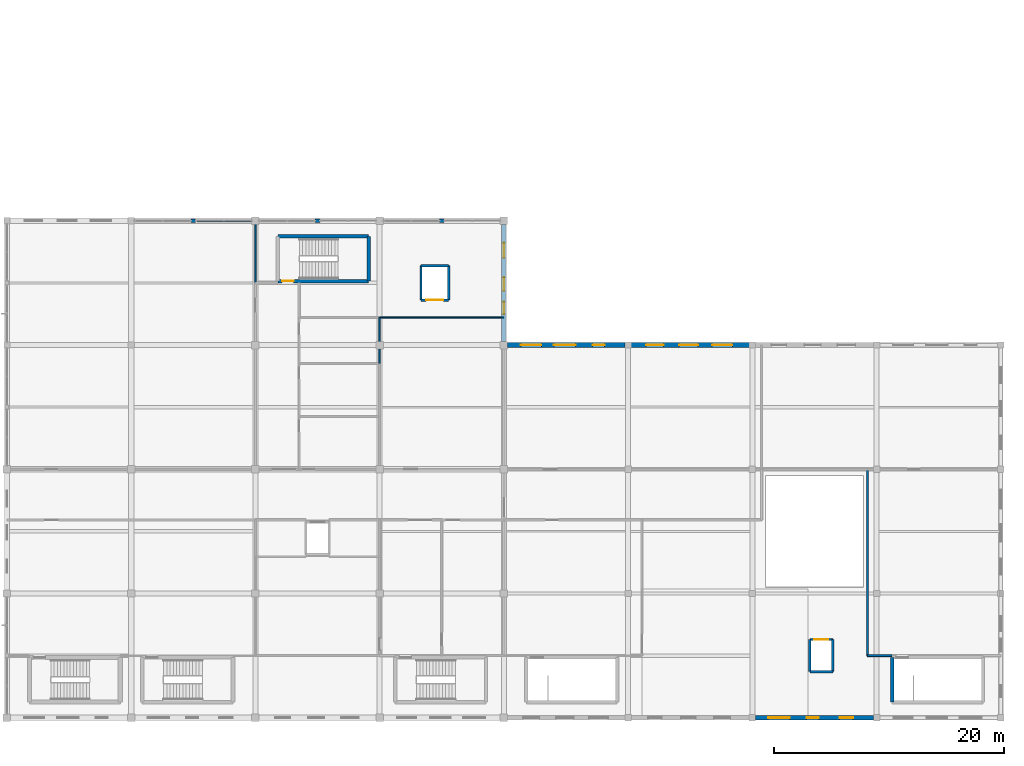
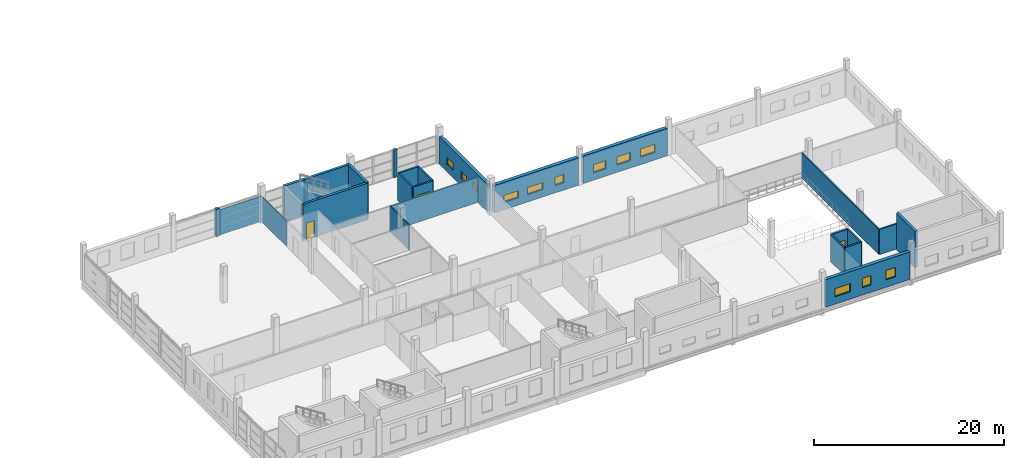
# One storey, part 17 of 24: 25 walls, 12 windows, 3 doors, 15 openings.
"""IFC4 building model written with IfcOpenShell, lengths in metres."""

from ifc_helpers import new_model, si_unit, direction, frame, frame_2d, origin, place, context, subcontext, project, spatial, rectangle, extrude, material, layer, layer_set, type_object, element, fill, save


model = new_model("IFC4")

# Units and contexts
model_context = context("Model", 3, precision=1e-05, world=origin(), true_north=direction((0.0, 1.0)))
body_context = subcontext(model_context, "Body", "Model", "MODEL_VIEW")
ifc_project = project(units=[si_unit("LENGTHUNIT", "METRE"), si_unit("AREAUNIT", "SQUARE_METRE"), si_unit("VOLUMEUNIT", "CUBIC_METRE"), si_unit("PLANEANGLEUNIT", "RADIAN"), si_unit("MASSUNIT", "GRAM", prefix="KILO")], contexts=[model_context])

# Site, building, storey
site_placement = place(None, origin())
site = spatial("IfcSite", under=ifc_project, at=site_placement, CompositionType="ELEMENT")
building_placement = place(site_placement, origin())
building = spatial("IfcBuilding", under=site, at=building_placement, Name="Zwinboog Wholesale Market", CompositionType="ELEMENT")
storey_placement = place(building_placement, frame((0.0, 0.0, 10.080078125)))
storey = spatial("IfcBuildingStorey", under=building, at=storey_placement, Name="L02", CompositionType="ELEMENT", Elevation=10.080078125)

# Wall, openings, windows
ifc_material_1 = material(Name="Precast concrete C45/55", Category="concrete")
ifc_layer_1 = layer(ifc_material_1, 0.389892578125)
ifc_layer_set_1 = layer_set([ifc_layer_1], Name="Precast concrete C45/55")
wall_type_1 = type_object("IfcWallType", Name="WT-EW-390", PredefinedType="STANDARD", material=ifc_layer_set_1)
wall_1_placement = place(storey_placement, frame((172.800048828125, 32.719970703125, 0.0), z_axis=(0.0, 0.0, 1.0), x_axis=(0.0, 1.0, 0.0)))
wall_1 = element("IfcWall", 1, at=wall_1_placement, inside=storey, type_object=wall_type_1, Name="EW-02 (WL-EW-L02-203)", PredefinedType="STANDARD", context=body_context, shape_type="SweptSolid", body=[
    extrude(rectangle(XDim=10.159912109375, YDim=0.389892578125, at=frame_2d((5.080078125, 0.0))), origin(), (0.0, 0.0, 1.0), 3.530029296875),
])
opening_1_placement = place(wall_1_placement, frame((2.3740234375, 0.0, 0.949951171875)))
opening_1 = element("IfcOpeningElement", 2, at=opening_1_placement, cuts=wall_1, Name="Opening WN-01", PredefinedType="OPENING", context=body_context, shape_type="SweptSolid", body=[
    extrude(rectangle(XDim=1.050048828125, YDim=0.89990234375, at=frame_2d((0.52490234375, 0.449951171875))), frame((0.0, 0.204833984375, 0.0), z_axis=(0.0, -1.0, 0.0), x_axis=(1.0, 0.0, 0.0)), (0.0, 0.0, 1.0), 0.409912109375),
])
opening_2_placement = place(wall_1_placement, frame((4.39501953125, 0.0, 0.949951171875)))
opening_2 = element("IfcOpeningElement", 3, at=opening_2_placement, cuts=wall_1, Name="Opening WN-02", PredefinedType="OPENING", context=body_context, shape_type="SweptSolid", body=[
    extrude(rectangle(XDim=1.169921875, YDim=0.89990234375, at=frame_2d((0.5849609375, 0.449951171875))), frame((0.0, 0.204833984375, 0.0), z_axis=(0.0, -1.0, 0.0), x_axis=(1.0, 0.0, 0.0)), (0.0, 0.0, 1.0), 0.409912109375),
])
opening_3_placement = place(wall_1_placement, frame((7.264892578125, 0.0, 0.949951171875)))
opening_3 = element("IfcOpeningElement", 4, at=opening_3_placement, cuts=wall_1, Name="Opening WN-03", PredefinedType="OPENING", context=body_context, shape_type="SweptSolid", body=[
    extrude(rectangle(XDim=1.2900390625, YDim=0.89990234375, at=frame_2d((0.64501953125, 0.449951171875))), frame((0.0, 0.204833984375, 0.0), z_axis=(0.0, -1.0, 0.0), x_axis=(1.0, 0.0, 0.0)), (0.0, 0.0, 1.0), 0.409912109375),
])
ifc_material_2 = material(Name="Thermally broken aluminium low-e window", Category="aluminium")
window_type_1 = type_object("IfcWindowType", Name="WNT-01", PartitioningType="SINGLE_PANEL", PredefinedType="WINDOW", material=ifc_material_2)
window_1_placement = place(opening_1_placement, frame((1.050048828125, 0.0, 0.0), z_axis=(0.0, 0.0, 1.0), x_axis=(-1.0, 0.0, 0.0)))
window_1 = element("IfcWindow", 5, at=window_1_placement, inside=storey, type_object=window_type_1, Name="WN-01 (WIN-L02-0217)", OverallHeight=0.89990234375, OverallWidth=1.050048828125, PartitioningType="SINGLE_PANEL", PredefinedType="WINDOW", context=body_context, shape_type="SweptSolid", body=[
    extrude(rectangle(XDim=1.050048828125, YDim=0.89990234375, at=frame_2d((0.52490234375, 0.449951171875))), frame((0.0, 0.030029296875, 0.0), z_axis=(0.0, -1.0, 0.0), x_axis=(1.0, 0.0, 0.0)), (0.0, 0.0, 1.0), 0.06005859375),
])
fill(opening_1, window_1)
window_type_2 = type_object("IfcWindowType", Name="WNT-02", PartitioningType="SINGLE_PANEL", PredefinedType="WINDOW", material=ifc_material_2)
window_2_placement = place(opening_2_placement, frame((1.169921875, 0.0, 0.0), z_axis=(0.0, 0.0, 1.0), x_axis=(-1.0, 0.0, 0.0)))
window_2 = element("IfcWindow", 6, at=window_2_placement, inside=storey, type_object=window_type_2, Name="WN-02 (WIN-L02-0218)", OverallHeight=0.89990234375, OverallWidth=1.169921875, PartitioningType="SINGLE_PANEL", PredefinedType="WINDOW", context=body_context, shape_type="SweptSolid", body=[
    extrude(rectangle(XDim=1.169921875, YDim=0.89990234375, at=frame_2d((0.5849609375, 0.449951171875))), frame((0.0, 0.030029296875, 0.0), z_axis=(0.0, -1.0, 0.0), x_axis=(1.0, 0.0, 0.0)), (0.0, 0.0, 1.0), 0.06005859375),
])
fill(opening_2, window_2)
window_type_3 = type_object("IfcWindowType", Name="WNT-03", PartitioningType="SINGLE_PANEL", PredefinedType="WINDOW", material=ifc_material_2)
window_3_placement = place(opening_3_placement, frame((1.2900390625, 0.0, 0.0), z_axis=(0.0, 0.0, 1.0), x_axis=(-1.0, 0.0, 0.0)))
window_3 = element("IfcWindow", 7, at=window_3_placement, inside=storey, type_object=window_type_3, Name="WN-03 (WIN-L02-0219)", OverallHeight=0.89990234375, OverallWidth=1.2900390625, PartitioningType="SINGLE_PANEL", PredefinedType="WINDOW", context=body_context, shape_type="SweptSolid", body=[
    extrude(rectangle(XDim=1.2900390625, YDim=0.89990234375, at=frame_2d((0.64501953125, 0.449951171875))), frame((0.0, 0.030029296875, 0.0), z_axis=(0.0, -1.0, 0.0), x_axis=(1.0, 0.0, 0.0)), (0.0, 0.0, 1.0), 0.06005859375),
])
fill(opening_3, window_3)

ifc_layer_2 = layer(ifc_material_1, 0.409912109375)
ifc_layer_set_2 = layer_set([ifc_layer_2], Name="Precast concrete C45/55")
wall_type_2 = type_object("IfcWallType", Name="WT-EW-410", PredefinedType="STANDARD", material=ifc_layer_set_2)
wall_2_placement = place(storey_placement, frame((194.669921875, 0.0, 0.0), z_axis=(0.0, 0.0, 1.0), x_axis=(1.0, 0.0, 0.0)))
wall_2 = element("IfcWall", 8, at=wall_2_placement, inside=storey, type_object=wall_type_2, Name="EW-03 (WL-EW-L02-208)", PredefinedType="STANDARD", context=body_context, shape_type="SweptSolid", body=[
    extrude(rectangle(XDim=10.260009765625, YDim=0.409912109375, at=frame_2d((5.1298828125, 0.0))), origin(), (0.0, 0.0, 1.0), 3.530029296875),
])
opening_4_placement = place(wall_2_placement, frame((1.10498046875, 0.0, 0.949951171875)))
opening_4 = element("IfcOpeningElement", 9, at=opening_4_placement, cuts=wall_2, Name="Opening WN-16", PredefinedType="OPENING", context=body_context, shape_type="SweptSolid", body=[
    extrude(rectangle(XDim=1.889892578125, YDim=1.050048828125, at=frame_2d((0.94482421875, 0.52490234375))), frame((0.0, 0.21484375, 0.0), z_axis=(0.0, -1.0, 0.0), x_axis=(1.0, 0.0, 0.0)), (0.0, 0.0, 1.0), 0.429931640625),
])
opening_5_placement = place(wall_2_placement, frame((4.455078125, 0.0, 0.949951171875)))
opening_5 = element("IfcOpeningElement", 10, at=opening_5_placement, cuts=wall_2, Name="Opening WN-17", PredefinedType="OPENING", context=body_context, shape_type="SweptSolid", body=[
    extrude(rectangle(XDim=1.050048828125, YDim=1.199951171875, at=frame_2d((0.52490234375, 0.60009765625))), frame((0.0, 0.21484375, 0.0), z_axis=(0.0, -1.0, 0.0), x_axis=(1.0, 0.0, 0.0)), (0.0, 0.0, 1.0), 0.429931640625),
])
opening_6_placement = place(wall_2_placement, frame((7.324951171875, 0.0, 0.949951171875)))
opening_6 = element("IfcOpeningElement", 11, at=opening_6_placement, cuts=wall_2, Name="Opening WN-18", PredefinedType="OPENING", context=body_context, shape_type="SweptSolid", body=[
    extrude(rectangle(XDim=1.169921875, YDim=1.199951171875, at=frame_2d((0.5849609375, 0.60009765625))), frame((0.0, 0.21484375, 0.0), z_axis=(0.0, -1.0, 0.0), x_axis=(1.0, 0.0, 0.0)), (0.0, 0.0, 1.0), 0.429931640625),
])
window_type_4 = type_object("IfcWindowType", Name="WNT-16", PartitioningType="SINGLE_PANEL", PredefinedType="WINDOW", material=ifc_material_2)
window_4_placement = place(opening_4_placement, frame((1.889892578125, 0.0, 0.0), z_axis=(0.0, 0.0, 1.0), x_axis=(-1.0, 0.0, 0.0)))
window_4 = element("IfcWindow", 12, at=window_4_placement, inside=storey, type_object=window_type_4, Name="WN-16 (WIN-L02-0232)", OverallHeight=1.050048828125, OverallWidth=1.889892578125, PartitioningType="SINGLE_PANEL", PredefinedType="WINDOW", context=body_context, shape_type="SweptSolid", body=[
    extrude(rectangle(XDim=1.889892578125, YDim=1.050048828125, at=frame_2d((0.94482421875, 0.52490234375))), frame((0.0, 0.030029296875, 0.0), z_axis=(0.0, -1.0, 0.0), x_axis=(1.0, 0.0, 0.0)), (0.0, 0.0, 1.0), 0.06005859375),
])
fill(opening_4, window_4)
window_type_5 = type_object("IfcWindowType", Name="WNT-17", PartitioningType="SINGLE_PANEL", PredefinedType="WINDOW", material=ifc_material_2)
window_5_placement = place(opening_5_placement, frame((1.050048828125, 0.0, 0.0), z_axis=(0.0, 0.0, 1.0), x_axis=(-1.0, 0.0, 0.0)))
window_5 = element("IfcWindow", 13, at=window_5_placement, inside=storey, type_object=window_type_5, Name="WN-17 (WIN-L02-0233)", OverallHeight=1.199951171875, OverallWidth=1.050048828125, PartitioningType="SINGLE_PANEL", PredefinedType="WINDOW", context=body_context, shape_type="SweptSolid", body=[
    extrude(rectangle(XDim=1.050048828125, YDim=1.199951171875, at=frame_2d((0.52490234375, 0.60009765625))), frame((0.0, 0.030029296875, 0.0), z_axis=(0.0, -1.0, 0.0), x_axis=(1.0, 0.0, 0.0)), (0.0, 0.0, 1.0), 0.06005859375),
])
fill(opening_5, window_5)
window_type_6 = type_object("IfcWindowType", Name="WNT-18", PartitioningType="SINGLE_PANEL", PredefinedType="WINDOW", material=ifc_material_2)
window_6_placement = place(opening_6_placement, frame((1.169921875, 0.0, 0.0), z_axis=(0.0, 0.0, 1.0), x_axis=(-1.0, 0.0, 0.0)))
window_6 = element("IfcWindow", 14, at=window_6_placement, inside=storey, type_object=window_type_6, Name="WN-18 (WIN-L02-0234)", OverallHeight=1.199951171875, OverallWidth=1.169921875, PartitioningType="SINGLE_PANEL", PredefinedType="WINDOW", context=body_context, shape_type="SweptSolid", body=[
    extrude(rectangle(XDim=1.169921875, YDim=1.199951171875, at=frame_2d((0.5849609375, 0.60009765625))), frame((0.0, 0.030029296875, 0.0), z_axis=(0.0, -1.0, 0.0), x_axis=(1.0, 0.0, 0.0)), (0.0, 0.0, 1.0), 0.06005859375),
])
fill(opening_6, window_6)

ifc_layer_3 = layer(ifc_material_1, 0.429931640625)
ifc_layer_set_3 = layer_set([ifc_layer_3], Name="Precast concrete C45/55")
wall_type_3 = type_object("IfcWallType", Name="WT-EW-430", PredefinedType="STANDARD", material=ifc_layer_set_3)
wall_3_placement = place(storey_placement, frame((173.1201171875, 32.39990234375, 0.0), z_axis=(0.0, 0.0, 1.0), x_axis=(1.0, 0.0, 0.0)))
wall_3 = element("IfcWall", 15, at=wall_3_placement, inside=storey, type_object=wall_type_3, Name="EW-04 (WL-EW-L02-205)", PredefinedType="STANDARD", context=body_context, shape_type="SweptSolid", body=[
    extrude(rectangle(XDim=10.2099609375, YDim=0.429931640625, at=frame_2d((5.10498046875, 0.0))), origin(), (0.0, 0.0, 1.0), 3.530029296875),
])
opening_7_placement = place(wall_3_placement, frame((1.1650390625, 0.0, 0.949951171875)))
opening_7 = element("IfcOpeningElement", 16, at=opening_7_placement, cuts=wall_3, Name="Opening WN-07", PredefinedType="OPENING", context=body_context, shape_type="SweptSolid", body=[
    extrude(rectangle(XDim=1.77001953125, YDim=0.89990234375, at=frame_2d((0.885009765625, 0.449951171875))), frame((0.0, 0.224853515625, 0.0), z_axis=(0.0, -1.0, 0.0), x_axis=(1.0, 0.0, 0.0)), (0.0, 0.0, 1.0), 0.449951171875),
])
opening_8_placement = place(wall_3_placement, frame((4.034912109375, 0.0, 0.949951171875)))
opening_8 = element("IfcOpeningElement", 17, at=opening_8_placement, cuts=wall_3, Name="Opening WN-08", PredefinedType="OPENING", context=body_context, shape_type="SweptSolid", body=[
    extrude(rectangle(XDim=1.889892578125, YDim=0.89990234375, at=frame_2d((0.94482421875, 0.449951171875))), frame((0.0, 0.224853515625, 0.0), z_axis=(0.0, -1.0, 0.0), x_axis=(1.0, 0.0, 0.0)), (0.0, 0.0, 1.0), 0.449951171875),
])
opening_9_placement = place(wall_3_placement, frame((7.385009765625, 0.0, 0.949951171875)))
opening_9 = element("IfcOpeningElement", 18, at=opening_9_placement, cuts=wall_3, Name="Opening WN-09", PredefinedType="OPENING", context=body_context, shape_type="SweptSolid", body=[
    extrude(rectangle(XDim=1.050048828125, YDim=1.050048828125, at=frame_2d((0.52490234375, 0.52490234375))), frame((0.0, 0.224853515625, 0.0), z_axis=(0.0, -1.0, 0.0), x_axis=(1.0, 0.0, 0.0)), (0.0, 0.0, 1.0), 0.449951171875),
])
window_type_7 = type_object("IfcWindowType", Name="WNT-07", PartitioningType="SINGLE_PANEL", PredefinedType="WINDOW", material=ifc_material_2)
window_7_placement = place(opening_7_placement, origin())
window_7 = element("IfcWindow", 19, at=window_7_placement, inside=storey, type_object=window_type_7, Name="WN-07 (WIN-L02-0223)", OverallHeight=0.89990234375, OverallWidth=1.77001953125, PartitioningType="SINGLE_PANEL", PredefinedType="WINDOW", context=body_context, shape_type="SweptSolid", body=[
    extrude(rectangle(XDim=1.77001953125, YDim=0.89990234375, at=frame_2d((0.885009765625, 0.449951171875))), frame((0.0, 0.030029296875, 0.0), z_axis=(0.0, -1.0, 0.0), x_axis=(1.0, 0.0, 0.0)), (0.0, 0.0, 1.0), 0.06005859375),
])
fill(opening_7, window_7)
window_type_8 = type_object("IfcWindowType", Name="WNT-08", PartitioningType="SINGLE_PANEL", PredefinedType="WINDOW", material=ifc_material_2)
window_8_placement = place(opening_8_placement, origin())
window_8 = element("IfcWindow", 20, at=window_8_placement, inside=storey, type_object=window_type_8, Name="WN-08 (WIN-L02-0224)", OverallHeight=0.89990234375, OverallWidth=1.889892578125, PartitioningType="SINGLE_PANEL", PredefinedType="WINDOW", context=body_context, shape_type="SweptSolid", body=[
    extrude(rectangle(XDim=1.889892578125, YDim=0.89990234375, at=frame_2d((0.94482421875, 0.449951171875))), frame((0.0, 0.030029296875, 0.0), z_axis=(0.0, -1.0, 0.0), x_axis=(1.0, 0.0, 0.0)), (0.0, 0.0, 1.0), 0.06005859375),
])
fill(opening_8, window_8)
window_type_9 = type_object("IfcWindowType", Name="WNT-09", PartitioningType="SINGLE_PANEL", PredefinedType="WINDOW", material=ifc_material_2)
window_9_placement = place(opening_9_placement, origin())
window_9 = element("IfcWindow", 21, at=window_9_placement, inside=storey, type_object=window_type_9, Name="WN-09 (WIN-L02-0225)", OverallHeight=1.050048828125, OverallWidth=1.050048828125, PartitioningType="SINGLE_PANEL", PredefinedType="WINDOW", context=body_context, shape_type="SweptSolid", body=[
    extrude(rectangle(XDim=1.050048828125, YDim=1.050048828125, at=frame_2d((0.52490234375, 0.52490234375))), frame((0.0, 0.030029296875, 0.0), z_axis=(0.0, -1.0, 0.0), x_axis=(1.0, 0.0, 0.0)), (0.0, 0.0, 1.0), 0.06005859375),
])
fill(opening_9, window_9)

wall_4_placement = place(storey_placement, frame((183.8701171875, 32.39990234375, 0.0), z_axis=(0.0, 0.0, 1.0), x_axis=(1.0, 0.0, 0.0)))
wall_4 = element("IfcWall", 22, at=wall_4_placement, inside=storey, type_object=wall_type_3, Name="EW-04 (WL-EW-L02-207)", PredefinedType="STANDARD", context=body_context, shape_type="SweptSolid", body=[
    extrude(rectangle(XDim=10.259765625, YDim=0.429931640625, at=frame_2d((5.1298828125, 0.0))), origin(), (0.0, 0.0, 1.0), 3.530029296875),
])
opening_10_placement = place(wall_4_placement, frame((1.284912109375, 0.0, 0.949951171875)))
opening_10 = element("IfcOpeningElement", 23, at=opening_10_placement, cuts=wall_4, Name="Opening WN-13", PredefinedType="OPENING", context=body_context, shape_type="SweptSolid", body=[
    extrude(rectangle(XDim=1.530029296875, YDim=1.050048828125, at=frame_2d((0.76513671875, 0.52490234375))), frame((0.0, 0.224853515625, 0.0), z_axis=(0.0, -1.0, 0.0), x_axis=(1.0, 0.0, 0.0)), (0.0, 0.0, 1.0), 0.449951171875),
])
opening_11_placement = place(wall_4_placement, frame((4.155029296875, 0.0, 0.949951171875)))
opening_11 = element("IfcOpeningElement", 24, at=opening_11_placement, cuts=wall_4, Name="Opening WN-14", PredefinedType="OPENING", context=body_context, shape_type="SweptSolid", body=[
    extrude(rectangle(XDim=1.64990234375, YDim=1.050048828125, at=frame_2d((0.824951171875, 0.52490234375))), frame((0.0, 0.224853515625, 0.0), z_axis=(0.0, -1.0, 0.0), x_axis=(1.0, 0.0, 0.0)), (0.0, 0.0, 1.0), 0.449951171875),
])
opening_12_placement = place(wall_4_placement, frame((7.02490234375, 0.0, 0.949951171875)))
opening_12 = element("IfcOpeningElement", 25, at=opening_12_placement, cuts=wall_4, Name="Opening WN-15", PredefinedType="OPENING", context=body_context, shape_type="SweptSolid", body=[
    extrude(rectangle(XDim=1.77001953125, YDim=1.050048828125, at=frame_2d((0.885009765625, 0.52490234375))), frame((0.0, 0.224853515625, 0.0), z_axis=(0.0, -1.0, 0.0), x_axis=(1.0, 0.0, 0.0)), (0.0, 0.0, 1.0), 0.449951171875),
])
window_type_10 = type_object("IfcWindowType", Name="WNT-13", PartitioningType="SINGLE_PANEL", PredefinedType="WINDOW", material=ifc_material_2)
window_10_placement = place(opening_10_placement, origin())
window_10 = element("IfcWindow", 26, at=window_10_placement, inside=storey, type_object=window_type_10, Name="WN-13 (WIN-L02-0229)", OverallHeight=1.050048828125, OverallWidth=1.530029296875, PartitioningType="SINGLE_PANEL", PredefinedType="WINDOW", context=body_context, shape_type="SweptSolid", body=[
    extrude(rectangle(XDim=1.530029296875, YDim=1.050048828125, at=frame_2d((0.76513671875, 0.52490234375))), frame((0.0, 0.030029296875, 0.0), z_axis=(0.0, -1.0, 0.0), x_axis=(1.0, 0.0, 0.0)), (0.0, 0.0, 1.0), 0.06005859375),
])
fill(opening_10, window_10)
window_type_11 = type_object("IfcWindowType", Name="WNT-14", PartitioningType="SINGLE_PANEL", PredefinedType="WINDOW", material=ifc_material_2)
window_11_placement = place(opening_11_placement, origin())
window_11 = element("IfcWindow", 27, at=window_11_placement, inside=storey, type_object=window_type_11, Name="WN-14 (WIN-L02-0230)", OverallHeight=1.050048828125, OverallWidth=1.64990234375, PartitioningType="SINGLE_PANEL", PredefinedType="WINDOW", context=body_context, shape_type="SweptSolid", body=[
    extrude(rectangle(XDim=1.64990234375, YDim=1.050048828125, at=frame_2d((0.824951171875, 0.52490234375))), frame((0.0, 0.030029296875, 0.0), z_axis=(0.0, -1.0, 0.0), x_axis=(1.0, 0.0, 0.0)), (0.0, 0.0, 1.0), 0.06005859375),
])
fill(opening_11, window_11)
window_type_12 = type_object("IfcWindowType", Name="WNT-15", PartitioningType="SINGLE_PANEL", PredefinedType="WINDOW", material=ifc_material_2)
window_12_placement = place(opening_12_placement, origin())
window_12 = element("IfcWindow", 28, at=window_12_placement, inside=storey, type_object=window_type_12, Name="WN-15 (WIN-L02-0231)", OverallHeight=1.050048828125, OverallWidth=1.77001953125, PartitioningType="SINGLE_PANEL", PredefinedType="WINDOW", context=body_context, shape_type="SweptSolid", body=[
    extrude(rectangle(XDim=1.77001953125, YDim=1.050048828125, at=frame_2d((0.885009765625, 0.52490234375))), frame((0.0, 0.030029296875, 0.0), z_axis=(0.0, -1.0, 0.0), x_axis=(1.0, 0.0, 0.0)), (0.0, 0.0, 1.0), 0.06005859375),
])
fill(opening_12, window_12)

# Walls
ifc_layer_4 = layer(ifc_material_1, 0.304931640625)
ifc_layer_set_4 = layer_set([ifc_layer_4], Name="Precast concrete C45/55")
wall_type_4 = type_object("IfcWallType", Name="WT-EW-305", PredefinedType="STANDARD", material=ifc_layer_set_4)
wall_5_placement = place(storey_placement, frame((145.60009765625, 43.199951171875, 0.0), z_axis=(0.0, 0.0, 1.0), x_axis=(1.0, 0.0, 0.0)))
element("IfcWall", 29, at=wall_5_placement, inside=storey, type_object=wall_type_4, Name="EW-07 (WL-PIER-L02-198)", PredefinedType="STANDARD", context=body_context, shape_type="SweptSolid", body=[
    extrude(rectangle(XDim=0.39990234375, YDim=0.304931640625, at=frame_2d((0.199951171875, 0.0))), origin(), (0.0, 0.0, 1.0), 3.530029296875),
])
for number, where, z_axis, x_axis, name in (
    (30, (156.39990234375, 43.199951171875, 0.0), (0.0, 0.0, 1.0), (1.0, 0.0, 0.0), "EW-07 (WL-PIER-L02-200)"),
    (31, (167.199951171875, 43.199951171875, 0.0), (0.0, 0.0, 1.0), (1.0, 0.0, 0.0), "EW-07 (WL-PIER-L02-202)"),
):
    element("IfcWall", number, at=place(storey_placement, frame(where, z_axis=z_axis, x_axis=x_axis)), inside=storey, type_object=wall_type_4, Name=name, PredefinedType="STANDARD", context=body_context, shape_type="SweptSolid", body=[
        extrude(rectangle(XDim=0.400146484375, YDim=0.304931640625, at=frame_2d((0.2001953125, 0.0))), origin(), (0.0, 0.0, 1.0), 3.530029296875),
    ])
ifc_material_3 = material(Name="Concrete C40/50", Category="concrete")
ifc_layer_5 = layer(ifc_material_3, 0.300048828125)
ifc_layer_set_5 = layer_set([ifc_layer_5], Name="Concrete C40/50")
wall_type_5 = type_object("IfcWallType", Name="WT-SW-300", PredefinedType="SHEAR", material=ifc_layer_set_5)
wall_6_placement = place(storey_placement, frame((206.550048828125, 1.35009765625, 0.0), z_axis=(0.0, 0.0, 1.0), x_axis=(0.0, 1.0, 0.0)))
element("IfcWall", 32, at=wall_6_placement, inside=storey, type_object=wall_type_5, Name="SW-02 (WL-SW-L02-067)", PredefinedType="SHEAR", context=body_context, shape_type="SweptSolid", body=[
    extrude(rectangle(XDim=3.89990234375, YDim=0.300048828125, at=frame_2d((1.949951171875, 0.0))), origin(), (0.0, 0.0, 1.0), 4.679931640625),
])

# Wall, opening, door
wall_7_placement = place(storey_placement, frame((153.14990234375, 37.949951171875, 0.0), z_axis=(0.0, 0.0, 1.0), x_axis=(1.0, 0.0, 0.0)))
wall_7 = element("IfcWall", 33, at=wall_7_placement, inside=storey, type_object=wall_type_5, Name="SW-02 (WL-SW-L02-121)", PredefinedType="SHEAR", context=body_context, shape_type="SweptSolid", body=[
    extrude(rectangle(XDim=7.900146484375, YDim=0.300048828125, at=frame_2d((3.9501953125, 0.0))), origin(), (0.0, 0.0, 1.0), 4.679931640625),
])
opening_13_placement = place(wall_7_placement, frame((0.3798828125, 0.0, 0.0)))
opening_13 = element("IfcOpeningElement", 34, at=opening_13_placement, cuts=wall_7, Name="Opening FD-0031", PredefinedType="OPENING", context=body_context, shape_type="SweptSolid", body=[
    extrude(rectangle(XDim=1.0, YDim=2.14990234375, at=frame_2d((0.5, 1.074951171875))), frame((0.0, 0.159912109375, 0.0), z_axis=(0.0, -1.0, 0.0), x_axis=(1.0, 0.0, 0.0)), (0.0, 0.0, 1.0), 0.320068359375),
])
ifc_material_4 = material(Name="Timber and powder-coated steel door leaf", Category="steel")
door_type_1 = type_object("IfcDoorType", Name="IDT-FD-01", OperationType="NOTDEFINED", PredefinedType="DOOR", material=ifc_material_4)
door_1_placement = place(opening_13_placement, frame((1.0, 0.0, 0.0), z_axis=(0.0, 0.0, 1.0), x_axis=(-1.0, 0.0, 0.0)))
door_1 = element("IfcDoor", 35, at=door_1_placement, inside=storey, type_object=door_type_1, Name="Core Fire Door FD-0031", OperationType="SINGLE_SWING_RIGHT", OverallHeight=2.14990234375, OverallWidth=1.0, PredefinedType="DOOR", context=body_context, shape_type="SweptSolid", body=[
    extrude(rectangle(XDim=1.0, YDim=2.14990234375, at=frame_2d((0.5, 1.074951171875))), frame((0.0, 0.02490234375, 0.0), z_axis=(0.0, -1.0, 0.0), x_axis=(1.0, 0.0, 0.0)), (0.0, 0.0, 1.0), 0.050048828125),
])
fill(opening_13, door_1)

# Walls
wall_8_placement = place(storey_placement, frame((153.14990234375, 41.85009765625, 0.0), z_axis=(0.0, 0.0, 1.0), x_axis=(1.0, 0.0, 0.0)))
element("IfcWall", 36, at=wall_8_placement, inside=storey, type_object=wall_type_5, Name="SW-02 (WL-SW-L02-122)", PredefinedType="SHEAR", context=body_context, shape_type="SweptSolid", body=[
    extrude(rectangle(XDim=7.900146484375, YDim=0.300048828125, at=frame_2d((3.9501953125, 0.0))), origin(), (0.0, 0.0, 1.0), 4.679931640625),
])
wall_9_placement = place(storey_placement, frame((161.050048828125, 37.949951171875, 0.0), z_axis=(0.0, 0.0, 1.0), x_axis=(0.0, 1.0, 0.0)))
element("IfcWall", 37, at=wall_9_placement, inside=storey, type_object=wall_type_5, Name="SW-02 (WL-SW-L02-124)", PredefinedType="SHEAR", context=body_context, shape_type="SweptSolid", body=[
    extrude(rectangle(XDim=3.900146484375, YDim=0.300048828125, at=frame_2d((1.9501953125, 0.0))), origin(), (0.0, 0.0, 1.0), 4.679931640625),
])
ifc_layer_6 = layer(ifc_material_1, 0.199951171875)
ifc_layer_set_6 = layer_set([ifc_layer_6], Name="Precast concrete C45/55")
wall_type_6 = type_object("IfcWallType", Name="WT-IW-200", PredefinedType="SOLIDWALL", material=ifc_layer_set_6)
wall_10_placement = place(storey_placement, frame((199.39990234375, 4.0, 0.0), z_axis=(0.0, 0.0, 1.0), x_axis=(1.0, 0.0, 0.0)))
element("IfcWall", 38, at=wall_10_placement, inside=storey, type_object=wall_type_6, Name="IW-60 (WL-LSH-L02-209)", PredefinedType="SOLIDWALL", context=body_context, shape_type="SweptSolid", body=[
    extrude(rectangle(XDim=2.0, YDim=0.199951171875, at=frame_2d((1.0, 0.0))), origin(), (0.0, 0.0, 1.0), 3.5),
])

# Wall, opening, door
wall_11_placement = place(storey_placement, frame((199.39990234375, 6.800048828125, 0.0), z_axis=(0.0, 0.0, 1.0), x_axis=(1.0, 0.0, 0.0)))
wall_11 = element("IfcWall", 39, at=wall_11_placement, inside=storey, type_object=wall_type_6, Name="IW-60 (WL-LSH-L02-210)", PredefinedType="SOLIDWALL", context=body_context, shape_type="SweptSolid", body=[
    extrude(rectangle(XDim=2.0, YDim=0.199951171875, at=frame_2d((1.0, 0.0))), origin(), (0.0, 0.0, 1.0), 3.5),
])
opening_14_placement = place(wall_11_placement, frame((0.389892578125, 0.0, 0.0)))
opening_14 = element("IfcOpeningElement", 40, at=opening_14_placement, cuts=wall_11, Name="Opening LD-011", PredefinedType="OPENING", context=body_context, shape_type="SweptSolid", body=[
    extrude(rectangle(XDim=1.219970703125, YDim=2.199951171875, at=frame_2d((0.60986328125, 1.10009765625))), frame((0.0, 0.10986328125, 0.0), z_axis=(0.0, -1.0, 0.0), x_axis=(1.0, 0.0, 0.0)), (0.0, 0.0, 1.0), 0.219970703125),
])
door_type_2 = type_object("IfcDoorType", Name="IDT-LD-120", OperationType="DOUBLE_DOOR_SLIDING", PredefinedType="DOOR", material=ifc_material_4)
door_2_placement = place(opening_14_placement, origin())
door_2 = element("IfcDoor", 41, at=door_2_placement, inside=storey, type_object=door_type_2, Name="Lift Landing Door LD-011 (LP-05)", OperationType="DOUBLE_DOOR_SLIDING", OverallHeight=2.199951171875, OverallWidth=1.219970703125, PredefinedType="DOOR", context=body_context, shape_type="SweptSolid", body=[
    extrude(rectangle(XDim=1.219970703125, YDim=2.199951171875, at=frame_2d((0.60986328125, 1.10009765625))), frame((0.0, 0.02490234375, 0.0), z_axis=(0.0, -1.0, 0.0), x_axis=(1.0, 0.0, 0.0)), (0.0, 0.0, 1.0), 0.050048828125),
])
fill(opening_14, door_2)

# Walls
for number, where, z_axis, x_axis, name in (
    (42, (199.39990234375, 4.0, 0.0), (0.0, 0.0, 1.0), (0.0, 1.0, 0.0), "IW-60 (WL-LSH-L02-211)"),
    (43, (201.39990234375, 4.0, 0.0), (0.0, 0.0, 1.0), (0.0, 1.0, 0.0), "IW-60 (WL-LSH-L02-212)"),
):
    element("IfcWall", number, at=place(storey_placement, frame(where, z_axis=z_axis, x_axis=x_axis)), inside=storey, type_object=wall_type_6, Name=name, PredefinedType="SOLIDWALL", context=body_context, shape_type="SweptSolid", body=[
        extrude(rectangle(XDim=2.800048828125, YDim=0.199951171875, at=frame_2d((1.39990234375, 0.0))), origin(), (0.0, 0.0, 1.0), 3.5),
    ])

# Wall, opening, door
wall_12_placement = place(storey_placement, frame((165.60009765625, 36.300048828125, 0.0), z_axis=(0.0, 0.0, 1.0), x_axis=(1.0, 0.0, 0.0)))
wall_12 = element("IfcWall", 44, at=wall_12_placement, inside=storey, type_object=wall_type_6, Name="IW-60 (WL-LSH-L02-261)", PredefinedType="SOLIDWALL", context=body_context, shape_type="SweptSolid", body=[
    extrude(rectangle(XDim=2.39990234375, YDim=0.199951171875, at=frame_2d((1.199951171875, 0.0))), origin(), (0.0, 0.0, 1.0), 3.5),
])
opening_15_placement = place(wall_12_placement, frame((0.449951171875, 0.0, 0.0)))
opening_15 = element("IfcOpeningElement", 45, at=opening_15_placement, cuts=wall_12, Name="Opening LD-024", PredefinedType="OPENING", context=body_context, shape_type="SweptSolid", body=[
    extrude(rectangle(XDim=1.5, YDim=2.300048828125, at=frame_2d((0.75, 1.14990234375))), frame((0.0, 0.10986328125, 0.0), z_axis=(0.0, -1.0, 0.0), x_axis=(1.0, 0.0, 0.0)), (0.0, 0.0, 1.0), 0.219970703125),
])
door_type_3 = type_object("IfcDoorType", Name="IDT-LD-150", OperationType="DOUBLE_DOOR_SLIDING", PredefinedType="DOOR", material=ifc_material_4)
door_3_placement = place(opening_15_placement, origin())
door_3 = element("IfcDoor", 46, at=door_3_placement, inside=storey, type_object=door_type_3, Name="Lift Landing Door LD-024 (LG-04)", OperationType="DOUBLE_DOOR_SLIDING", OverallHeight=2.300048828125, OverallWidth=1.5, PredefinedType="DOOR", context=body_context, shape_type="SweptSolid", body=[
    extrude(rectangle(XDim=1.5, YDim=2.300048828125, at=frame_2d((0.75, 1.14990234375))), frame((0.0, 0.02490234375, 0.0), z_axis=(0.0, -1.0, 0.0), x_axis=(1.0, 0.0, 0.0)), (0.0, 0.0, 1.0), 0.050048828125),
])
fill(opening_15, door_3)

# Walls
wall_13_placement = place(storey_placement, frame((165.60009765625, 39.300048828125, 0.0), z_axis=(0.0, 0.0, 1.0), x_axis=(1.0, 0.0, 0.0)))
element("IfcWall", 47, at=wall_13_placement, inside=storey, type_object=wall_type_6, Name="IW-60 (WL-LSH-L02-262)", PredefinedType="SOLIDWALL", context=body_context, shape_type="SweptSolid", body=[
    extrude(rectangle(XDim=2.39990234375, YDim=0.199951171875, at=frame_2d((1.199951171875, 0.0))), origin(), (0.0, 0.0, 1.0), 3.5),
])
for number, where, z_axis, x_axis, name in (
    (48, (165.60009765625, 36.300048828125, 0.0), (0.0, 0.0, 1.0), (0.0, 1.0, 0.0), "IW-60 (WL-LSH-L02-263)"),
    (49, (168.0, 36.300048828125, 0.0), (0.0, 0.0, 1.0), (0.0, 1.0, 0.0), "IW-60 (WL-LSH-L02-264)"),
):
    element("IfcWall", number, at=place(storey_placement, frame(where, z_axis=z_axis, x_axis=x_axis)), inside=storey, type_object=wall_type_6, Name=name, PredefinedType="SOLIDWALL", context=body_context, shape_type="SweptSolid", body=[
        extrude(rectangle(XDim=3.0, YDim=0.199951171875, at=frame_2d((1.5, 0.0))), origin(), (0.0, 0.0, 1.0), 3.5),
    ])
ifc_material_5 = material(Name="Gypsum acoustic stud partition")
ifc_layer_7 = layer(ifc_material_5, 0.10791015625)
ifc_layer_set_7 = layer_set([ifc_layer_7], Name="Gypsum acoustic stud partition")
wall_type_7 = type_object("IfcWallType", Name="WT-PT-108", PredefinedType="PARTITIONING", material=ifc_layer_set_7)
wall_14_placement = place(storey_placement, frame((162.0, 34.800048828125, 0.0), z_axis=(0.0, 0.0, 1.0), x_axis=(1.0, 0.0, 0.0)))
element("IfcWall", 50, at=wall_14_placement, inside=storey, type_object=wall_type_7, Name="PW-01 (WL-IN-L02-0283)", PredefinedType="PARTITIONING", context=body_context, shape_type="SweptSolid", body=[
    extrude(rectangle(XDim=10.800048828125, YDim=0.10791015625, at=frame_2d((5.39990234375, 0.0))), origin(), (0.0, 0.0, 1.0), 3.22998046875),
])
ifc_layer_8 = layer(ifc_material_5, 0.1240234375)
ifc_layer_set_8 = layer_set([ifc_layer_8], Name="Gypsum acoustic stud partition")
wall_type_8 = type_object("IfcWallType", Name="WT-PT-124", PredefinedType="PARTITIONING", material=ifc_layer_set_8)
wall_15_placement = place(storey_placement, frame((146.152587890625, 43.199951171875, 0.0), z_axis=(0.0, 0.0, 1.0), x_axis=(1.0, 0.0, 0.0)))
element("IfcWall", 51, at=wall_15_placement, inside=storey, type_object=wall_type_8, Name="PW-02 (WL-IN-L02-0264)", PredefinedType="PARTITIONING", context=body_context, shape_type="SweptSolid", body=[
    extrude(rectangle(XDim=5.04736328125, YDim=0.1240234375, at=frame_2d((2.523681640625, 0.0))), origin(), (0.0, 0.0, 1.0), 3.22998046875),
])
wall_16_placement = place(storey_placement, frame((151.199951171875, 37.800048828125, 0.0), z_axis=(0.0, 0.0, 1.0), x_axis=(0.0, 1.0, 0.0)))
element("IfcWall", 52, at=wall_16_placement, inside=storey, type_object=wall_type_8, Name="PW-02 (WL-IN-L02-0272)", PredefinedType="PARTITIONING", context=body_context, shape_type="SweptSolid", body=[
    extrude(rectangle(XDim=5.39990234375, YDim=0.1240234375, at=frame_2d((2.699951171875, 0.0))), origin(), (0.0, 0.0, 1.0), 3.22998046875),
])
ifc_material_6 = material(Name="Hygienic washable stud partition")
ifc_layer_9 = layer(ifc_material_6, 0.137939453125)
ifc_layer_set_9 = layer_set([ifc_layer_9], Name="Hygienic washable stud partition")
wall_type_9 = type_object("IfcWallType", Name="WT-PT-138", PredefinedType="PARTITIONING", material=ifc_layer_set_9)
wall_17_placement = place(storey_placement, frame((162.0, 30.800048828125, 0.0), z_axis=(0.0, 0.0, 1.0), x_axis=(0.0, 1.0, 0.0)))
element("IfcWall", 53, at=wall_17_placement, inside=storey, type_object=wall_type_9, Name="PW-03 (WL-IN-L02-0282)", PredefinedType="PARTITIONING", context=body_context, shape_type="SweptSolid", body=[
    extrude(rectangle(XDim=4.0, YDim=0.137939453125, at=frame_2d((2.0, 0.0))), origin(), (0.0, 0.0, 1.0), 3.22998046875),
])
ifc_material_7 = material(Name="Fire-rated corridor stud partition")
ifc_layer_10 = layer(ifc_material_7, 0.154052734375)
ifc_layer_set_10 = layer_set([ifc_layer_10], Name="Fire-rated corridor stud partition")
wall_type_10 = type_object("IfcWallType", Name="WT-PT-154", PredefinedType="PARTITIONING", material=ifc_layer_set_10)
wall_18_placement = place(storey_placement, frame((204.39990234375, 5.39990234375, 0.0), z_axis=(0.0, 0.0, 1.0), x_axis=(1.0, 0.0, 0.0)))
element("IfcWall", 54, at=wall_18_placement, inside=storey, type_object=wall_type_10, Name="PW-04 (WL-IN-L02-0295)", PredefinedType="PARTITIONING", context=body_context, shape_type="SweptSolid", body=[
    extrude(rectangle(XDim=2.130126953125, YDim=0.154052734375, at=frame_2d((1.06494140625, 0.0))), origin(), (0.0, 0.0, 1.0), 3.22998046875),
])
wall_19_placement = place(storey_placement, frame((204.39990234375, 5.39990234375, 0.0), z_axis=(0.0, 0.0, 1.0), x_axis=(0.0, 1.0, 0.0)))
element("IfcWall", 55, at=wall_19_placement, inside=storey, type_object=wall_type_10, Name="PW-04 (WL-IN-L02-0297)", PredefinedType="PARTITIONING", context=body_context, shape_type="SweptSolid", body=[
    extrude(rectangle(XDim=16.2001953125, YDim=0.154052734375, at=frame_2d((8.10009765625, 0.0))), origin(), (0.0, 0.0, 1.0), 3.22998046875),
])

save(model, "model.ifc")
